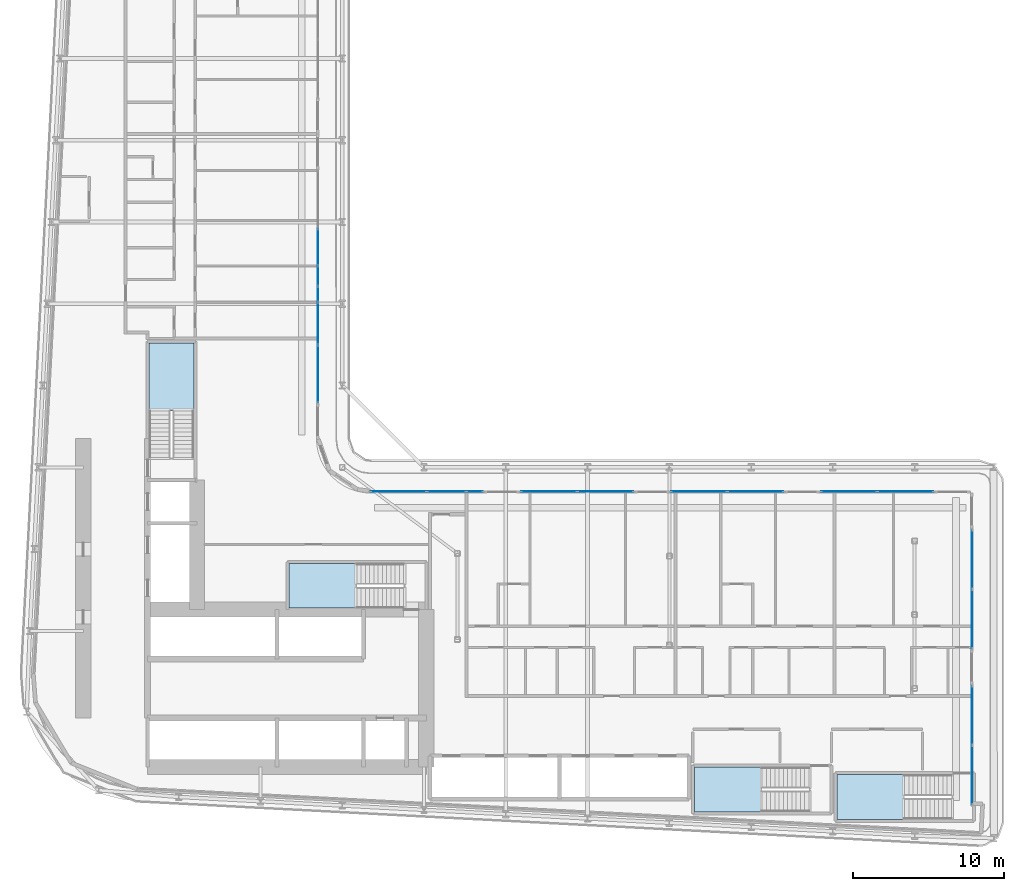
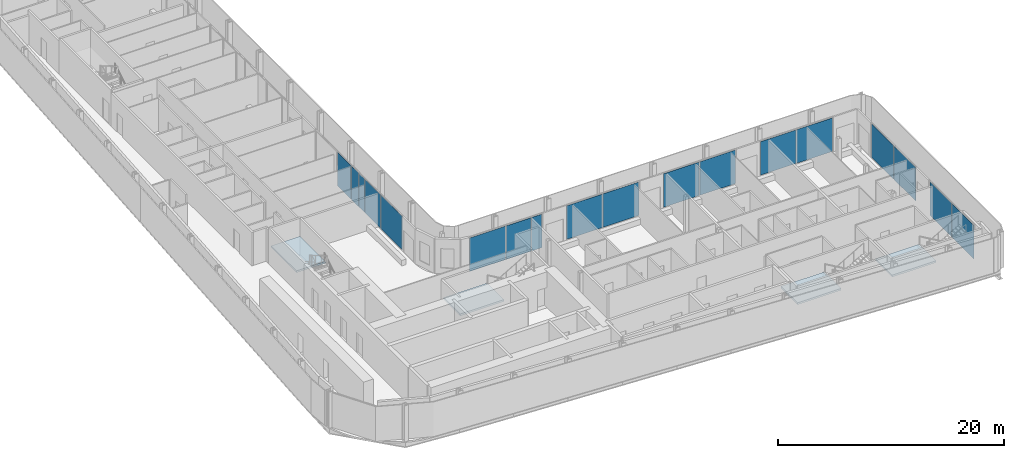
# One storey, part 9 of 25: 18 plates, 4 slabs, 12 elements without a shape of their own.
"""IFC4 building model written with IfcOpenShell, lengths in metres."""

from ifc_helpers import new_model, si_unit, direction, frame, origin, origin_2d, place, context, subcontext, project, spatial, polyline, rectangle, outline, extrude, material, layer, layer_set, type_object, element, aggregate, save


model = new_model("IFC4")

# Units and contexts
model_context = context("Model", 3, precision=1e-05, world=origin(), true_north=direction((0.0, 1.0)))
body_context = subcontext(model_context, "Body", "Model", "MODEL_VIEW")
ifc_project = project(units=[si_unit("LENGTHUNIT", "METRE"), si_unit("AREAUNIT", "SQUARE_METRE"), si_unit("VOLUMEUNIT", "CUBIC_METRE"), si_unit("PLANEANGLEUNIT", "RADIAN"), si_unit("MASSUNIT", "GRAM", prefix="KILO")], contexts=[model_context])

# Site, building, storey
site_placement = place(None, origin())
site = spatial("IfcSite", under=ifc_project, at=site_placement, CompositionType="ELEMENT")
building_placement = place(site_placement, origin())
building = spatial("IfcBuilding", under=site, at=building_placement, Name="Kheshtan School and Residences Tower", CompositionType="ELEMENT")
storey_placement = place(building_placement, frame((0.0, 0.0, 34.39990234375)))
storey = spatial("IfcBuildingStorey", under=building, at=storey_placement, Name="L07", CompositionType="ELEMENT", Elevation=34.39990234375)

# Curtain wall, plates
ifc_material_1 = material(Name="Clear low-e glass in thermally broken aluminium frame", Category="aluminium")
ifc_layer_1 = layer(ifc_material_1, 0.199951171875)
ifc_layer_set_1 = layer_set([ifc_layer_1], Name="Curtain wall CW-L")
curtain_wall_type = type_object("IfcCurtainWallType", Name="Curtain wall CW-L", PredefinedType="NOTDEFINED", material=ifc_layer_set_1)
curtain_wall_1_placement = place(storey_placement, origin())
curtain_wall_1 = element("IfcCurtainWall", 1, at=curtain_wall_1_placement, inside=storey, type_object=curtain_wall_type, Name="Curtain wall CWL8c", PredefinedType="NOTDEFINED")
ifc_layer_2 = layer(ifc_material_1, 0.031982421875)
ifc_layer_set_2 = layer_set([ifc_layer_2], Name="CW-L glass panel")
plate_type = type_object("IfcPlateType", Name="CW-L glass panel", PredefinedType="CURTAIN_PANEL", material=ifc_layer_set_2)
plate_1_placement = place(storey_placement, frame((46.0, 60.135498046875, 0.000244140625), z_axis=(0.0, 0.0, 1.0), x_axis=(0.0, -1.0, 0.0)))
plate_1 = element("IfcPlate", 2, at=plate_1_placement, type_object=plate_type, Name="CWL8c panel 2.1", PredefinedType="CURTAIN_PANEL", context=body_context, shape_type="SweptSolid", body=[
    extrude(rectangle(XDim=2.410888671875, YDim=0.031982421875, at=origin_2d()), origin(), (0.0, 0.0, 1.0), 3.6298828125),
])
plate_2_placement = place(storey_placement, frame((46.0, 58.22705078125, 0.000244140625), z_axis=(0.0, 0.0, 1.0), x_axis=(0.0, -1.0, 0.0)))
plate_2 = element("IfcPlate", 3, at=plate_2_placement, type_object=plate_type, Name="CWL8c panel 3.1", PredefinedType="CURTAIN_PANEL", context=body_context, shape_type="SweptSolid", body=[
    extrude(rectangle(XDim=1.285888671875, YDim=0.031982421875, at=origin_2d()), origin(), (0.0, 0.0, 1.0), 3.6298828125),
])
aggregate(curtain_wall_1, [plate_1, plate_2])

curtain_wall_2_placement = place(storey_placement, origin())
curtain_wall_2 = element("IfcCurtainWall", 4, at=curtain_wall_2_placement, inside=storey, type_object=curtain_wall_type, Name="Curtain wall CWL8c", PredefinedType="NOTDEFINED")
plate_3_placement = place(storey_placement, frame((46.0, 57.027099609375, 0.000244140625), z_axis=(0.0, 0.0, 1.0), x_axis=(0.0, -1.0, 0.0)))
plate_3 = element("IfcPlate", 5, at=plate_3_placement, type_object=plate_type, Name="CWL8c panel 1.1", PredefinedType="CURTAIN_PANEL", context=body_context, shape_type="SweptSolid", body=[
    extrude(rectangle(XDim=0.993896484375, YDim=0.031982421875, at=origin_2d()), origin(), (0.0, 0.0, 1.0), 3.6298828125),
])
plate_4_placement = place(storey_placement, frame((46.0, 55.08837890625, 0.000244140625), z_axis=(0.0, 0.0, 1.0), x_axis=(0.0, -1.0, 0.0)))
plate_4 = element("IfcPlate", 6, at=plate_4_placement, type_object=plate_type, Name="CWL8c panel 2.1", PredefinedType="CURTAIN_PANEL", context=body_context, shape_type="SweptSolid", body=[
    extrude(rectangle(XDim=2.762939453125, YDim=0.031982421875, at=origin_2d()), origin(), (0.0, 0.0, 1.0), 3.6298828125),
])
plate_5_placement = place(storey_placement, frame((46.0, 51.7685546875, 0.000244140625), z_axis=(0.0, 0.0, 1.0), x_axis=(0.0, -1.0, 0.0)))
plate_5 = element("IfcPlate", 7, at=plate_5_placement, type_object=plate_type, Name="CWL8c panel 3.1", PredefinedType="CURTAIN_PANEL", context=body_context, shape_type="SweptSolid", body=[
    extrude(rectangle(XDim=3.757080078125, YDim=0.031982421875, at=origin_2d()), origin(), (0.0, 0.0, 1.0), 3.6298828125),
])
aggregate(curtain_wall_2, [plate_3, plate_4, plate_5])

curtain_wall_3_placement = place(storey_placement, origin())
curtain_wall_3 = element("IfcCurtainWall", 8, at=curtain_wall_3_placement, inside=storey, type_object=curtain_wall_type, Name="Curtain wall CWL12", PredefinedType="NOTDEFINED")
plate_6_placement = place(storey_placement, frame((51.324462890625, 44.0, 0.000244140625), z_axis=(0.0, 0.0, 1.0), x_axis=(1.0, 0.0, 0.0)))
plate_6 = element("IfcPlate", 9, at=plate_6_placement, type_object=plate_type, Name="CWL12 panel 1.1", PredefinedType="CURTAIN_PANEL", context=body_context, shape_type="SweptSolid", body=[
    extrude(rectangle(XDim=3.668701171875, YDim=0.031982421875, at=origin_2d()), origin(), (0.0, 0.0, 1.0), 3.6298828125),
])
plate_7_placement = place(storey_placement, frame((54.494384765625, 44.0, 0.000244140625), z_axis=(0.0, 0.0, 1.0), x_axis=(1.0, 0.0, 0.0)))
plate_7 = element("IfcPlate", 10, at=plate_7_placement, type_object=plate_type, Name="CWL12 panel 2.1", PredefinedType="CURTAIN_PANEL", context=body_context, shape_type="SweptSolid", body=[
    extrude(rectangle(XDim=2.55126953125, YDim=0.031982421875, at=origin_2d()), origin(), (0.0, 0.0, 1.0), 3.6298828125),
])
plate_8_placement = place(storey_placement, frame((56.358642578125, 44.0, 0.000244140625), z_axis=(0.0, 0.0, 1.0), x_axis=(1.0, 0.0, 0.0)))
plate_8 = element("IfcPlate", 11, at=plate_8_placement, type_object=plate_type, Name="CWL12 panel 3.1", PredefinedType="CURTAIN_PANEL", context=body_context, shape_type="SweptSolid", body=[
    extrude(rectangle(XDim=1.0576171875, YDim=0.031982421875, at=origin_2d()), origin(), (0.0, 0.0, 1.0), 3.6298828125),
])
aggregate(curtain_wall_3, [plate_6, plate_7, plate_8])

curtain_wall_4_placement = place(storey_placement, origin())
curtain_wall_4 = element("IfcCurtainWall", 12, at=curtain_wall_4_placement, inside=storey, type_object=curtain_wall_type, Name="Curtain wall CWL12a", PredefinedType="NOTDEFINED")
plate_9_placement = place(storey_placement, frame((61.241943359375, 44.0, 0.000244140625), z_axis=(0.0, 0.0, 1.0), x_axis=(1.0, 0.0, 0.0)))
plate_9 = element("IfcPlate", 13, at=plate_9_placement, type_object=plate_type, Name="CWL12a panel 1.1", PredefinedType="CURTAIN_PANEL", context=body_context, shape_type="SweptSolid", body=[
    extrude(rectangle(XDim=3.668701171875, YDim=0.031982421875, at=origin_2d()), origin(), (0.0, 0.0, 1.0), 3.6298828125),
])
plate_10_placement = place(storey_placement, frame((64.970703125, 44.0, 0.000244140625), z_axis=(0.0, 0.0, 1.0), x_axis=(1.0, 0.0, 0.0)))
plate_10 = element("IfcPlate", 14, at=plate_10_placement, type_object=plate_type, Name="CWL12a panel 2.1", PredefinedType="CURTAIN_PANEL", context=body_context, shape_type="SweptSolid", body=[
    extrude(rectangle(XDim=3.668701171875, YDim=0.031982421875, at=origin_2d()), origin(), (0.0, 0.0, 1.0), 3.6298828125),
])
aggregate(curtain_wall_4, [plate_9, plate_10])

curtain_wall_5_placement = place(storey_placement, origin())
curtain_wall_5 = element("IfcCurtainWall", 15, at=curtain_wall_5_placement, inside=storey, type_object=curtain_wall_type, Name="Curtain wall CWL12a", PredefinedType="NOTDEFINED")
plate_11_placement = place(storey_placement, frame((71.159423828125, 44.0, 0.000244140625), z_axis=(0.0, 0.0, 1.0), x_axis=(1.0, 0.0, 0.0)))
plate_11 = element("IfcPlate", 16, at=plate_11_placement, type_object=plate_type, Name="CWL12a panel 1.1", PredefinedType="CURTAIN_PANEL", context=body_context, shape_type="SweptSolid", body=[
    extrude(rectangle(XDim=3.668701171875, YDim=0.031982421875, at=origin_2d()), origin(), (0.0, 0.0, 1.0), 3.6298828125),
])
plate_12_placement = place(storey_placement, frame((74.88818359375, 44.0, 0.000244140625), z_axis=(0.0, 0.0, 1.0), x_axis=(1.0, 0.0, 0.0)))
plate_12 = element("IfcPlate", 17, at=plate_12_placement, type_object=plate_type, Name="CWL12a panel 2.1", PredefinedType="CURTAIN_PANEL", context=body_context, shape_type="SweptSolid", body=[
    extrude(rectangle(XDim=3.668701171875, YDim=0.031982421875, at=origin_2d()), origin(), (0.0, 0.0, 1.0), 3.6298828125),
])
aggregate(curtain_wall_5, [plate_11, plate_12])

curtain_wall_6_placement = place(storey_placement, origin())
curtain_wall_6 = element("IfcCurtainWall", 18, at=curtain_wall_6_placement, inside=storey, type_object=curtain_wall_type, Name="Curtain wall CWL12a", PredefinedType="NOTDEFINED")
plate_13_placement = place(storey_placement, frame((81.076904296875, 44.0, 0.000244140625), z_axis=(0.0, 0.0, 1.0), x_axis=(1.0, 0.0, 0.0)))
plate_13 = element("IfcPlate", 19, at=plate_13_placement, type_object=plate_type, Name="CWL12a panel 1.1", PredefinedType="CURTAIN_PANEL", context=body_context, shape_type="SweptSolid", body=[
    extrude(rectangle(XDim=3.668701171875, YDim=0.031982421875, at=origin_2d()), origin(), (0.0, 0.0, 1.0), 3.6298828125),
])
plate_14_placement = place(storey_placement, frame((84.8056640625, 44.0, 0.000244140625), z_axis=(0.0, 0.0, 1.0), x_axis=(1.0, 0.0, 0.0)))
plate_14 = element("IfcPlate", 20, at=plate_14_placement, type_object=plate_type, Name="CWL12a panel 2.1", PredefinedType="CURTAIN_PANEL", context=body_context, shape_type="SweptSolid", body=[
    extrude(rectangle(XDim=3.668701171875, YDim=0.031982421875, at=origin_2d()), origin(), (0.0, 0.0, 1.0), 3.6298828125),
])
aggregate(curtain_wall_6, [plate_13, plate_14])

curtain_wall_7_placement = place(storey_placement, origin())
curtain_wall_7 = element("IfcCurtainWall", 21, at=curtain_wall_7_placement, inside=storey, type_object=curtain_wall_type, Name="Curtain wall CWL13", PredefinedType="NOTDEFINED")
plate_15_placement = place(storey_placement, frame((89.199951171875, 39.5078125, 0.000244140625), z_axis=(0.0, 0.0, 1.0), x_axis=(0.0, -1.0, 0.0)))
plate_15 = element("IfcPlate", 22, at=plate_15_placement, type_object=plate_type, Name="CWL13 panel 1.1", PredefinedType="CURTAIN_PANEL", context=body_context, shape_type="SweptSolid", body=[
    extrude(rectangle(XDim=3.8642578125, YDim=0.031982421875, at=origin_2d()), origin(), (0.0, 0.0, 1.0), 3.6298828125),
])
plate_16_placement = place(storey_placement, frame((89.199951171875, 35.583740234375, 0.000244140625), z_axis=(0.0, 0.0, 1.0), x_axis=(0.0, -1.0, 0.0)))
plate_16 = element("IfcPlate", 23, at=plate_16_placement, type_object=plate_type, Name="CWL13 panel 2.1", PredefinedType="CURTAIN_PANEL", context=body_context, shape_type="SweptSolid", body=[
    extrude(rectangle(XDim=3.8642578125, YDim=0.031982421875, at=origin_2d()), origin(), (0.0, 0.0, 1.0), 3.6298828125),
])
aggregate(curtain_wall_7, [plate_15, plate_16])

curtain_wall_8_placement = place(storey_placement, origin())
curtain_wall_8 = element("IfcCurtainWall", 24, at=curtain_wall_8_placement, inside=storey, type_object=curtain_wall_type, Name="Curtain wall CWL13", PredefinedType="NOTDEFINED")
plate_17_placement = place(storey_placement, frame((89.199951171875, 29.199462890625, 0.000244140625), z_axis=(0.0, 0.0, 1.0), x_axis=(0.0, -1.0, 0.0)))
plate_17 = element("IfcPlate", 25, at=plate_17_placement, type_object=plate_type, Name="CWL13 panel 1.1", PredefinedType="CURTAIN_PANEL", context=body_context, shape_type="SweptSolid", body=[
    extrude(rectangle(XDim=3.8642578125, YDim=0.031982421875, at=origin_2d()), origin(), (0.0, 0.0, 1.0), 3.6298828125),
])
plate_18_placement = place(storey_placement, frame((89.199951171875, 25.275146484375, 0.000244140625), z_axis=(0.0, 0.0, 1.0), x_axis=(0.0, -1.0, 0.0)))
plate_18 = element("IfcPlate", 26, at=plate_18_placement, type_object=plate_type, Name="CWL13 panel 2.1", PredefinedType="CURTAIN_PANEL", context=body_context, shape_type="SweptSolid", body=[
    extrude(rectangle(XDim=3.8642578125, YDim=0.031982421875, at=origin_2d()), origin(), (0.0, 0.0, 1.0), 3.6298828125),
])
aggregate(curtain_wall_8, [plate_17, plate_18])

# Stair, slab
ifc_material_2 = material(Name="Concrete C40/50", Category="concrete")
stair_type = type_object("IfcStairType", Name="Exit stair, half-turn", PredefinedType="HALF_TURN_STAIR", material=ifc_material_2)
stair_1_placement = place(storey_placement, origin())
stair_1 = element("IfcStair", 27, at=stair_1_placement, inside=storey, type_object=stair_type, Name="L07 Protected Exit Stair ST1", PredefinedType="HALF_TURN_STAIR")
ifc_layer_3 = layer(ifc_material_2, 0.199951171875)
ifc_layer_set_3 = layer_set([ifc_layer_3], Name="Stair landing 200 Concrete C40/50")
slab_type = type_object("IfcSlabType", Name="Stair landing 200 Concrete C40/50", PredefinedType="LANDING", material=ifc_layer_set_3)
slab_1_placement = place(storey_placement, frame((0.0, 0.0, 1.75)))
slab_1 = element("IfcSlab", 28, at=slab_1_placement, type_object=slab_type, Name="ST1 landing 1", PredefinedType="LANDING", context=body_context, shape_type="SweptSolid", body=[
    extrude(outline(polyline([(48.570068359375, 39.25), (44.090087890625, 39.25), (44.090087890625, 36.300048828125), (48.570068359375, 36.300048828125), (48.570068359375, 39.25)])), origin(), (0.0, 0.0, 1.0), 0.2001953125),
])
aggregate(stair_1, [slab_1])

stair_2_placement = place(storey_placement, origin())
stair_2 = element("IfcStair", 29, at=stair_2_placement, inside=storey, type_object=stair_type, Name="L07 Protected Exit Stair ST2", PredefinedType="HALF_TURN_STAIR")
slab_2_placement = place(storey_placement, frame((0.0, 0.0, 1.75)))
slab_2 = element("IfcSlab", 30, at=slab_2_placement, type_object=slab_type, Name="ST2 landing 1", PredefinedType="LANDING", context=body_context, shape_type="SweptSolid", body=[
    extrude(outline(polyline([(37.800048828125, 49.330078125), (37.800048828125, 53.81005859375), (34.85009765625, 53.81005859375), (34.85009765625, 49.330078125), (37.800048828125, 49.330078125)])), origin(), (0.0, 0.0, 1.0), 0.2001953125),
])
aggregate(stair_2, [slab_2])

stair_3_placement = place(storey_placement, origin())
stair_3 = element("IfcStair", 31, at=stair_3_placement, inside=storey, type_object=stair_type, Name="L07 Protected Exit Stair ST4", PredefinedType="HALF_TURN_STAIR")
slab_3_placement = place(storey_placement, frame((0.0, 0.0, 1.75)))
slab_3 = element("IfcSlab", 32, at=slab_3_placement, type_object=slab_type, Name="ST4 landing 1", PredefinedType="LANDING", context=body_context, shape_type="SweptSolid", body=[
    extrude(outline(polyline([(84.739990234375, 25.300048828125), (80.260009765625, 25.300048828125), (80.260009765625, 22.35009765625), (84.739990234375, 22.35009765625), (84.739990234375, 25.300048828125)])), origin(), (0.0, 0.0, 1.0), 0.2001953125),
])
aggregate(stair_3, [slab_3])

stair_4_placement = place(storey_placement, origin())
stair_4 = element("IfcStair", 33, at=stair_4_placement, inside=storey, type_object=stair_type, Name="L07 Protected Exit Stair ST5", PredefinedType="HALF_TURN_STAIR")
slab_4_placement = place(storey_placement, frame((0.0, 0.0, 1.75)))
slab_4 = element("IfcSlab", 34, at=slab_4_placement, type_object=slab_type, Name="ST5 landing 1", PredefinedType="LANDING", context=body_context, shape_type="SweptSolid", body=[
    extrude(outline(polyline([(75.330078125, 25.800048828125), (70.85009765625, 25.800048828125), (70.85009765625, 22.85009765625), (75.330078125, 22.85009765625), (75.330078125, 25.800048828125)])), origin(), (0.0, 0.0, 1.0), 0.2001953125),
])
aggregate(stair_4, [slab_4])

save(model, "model.ifc")
